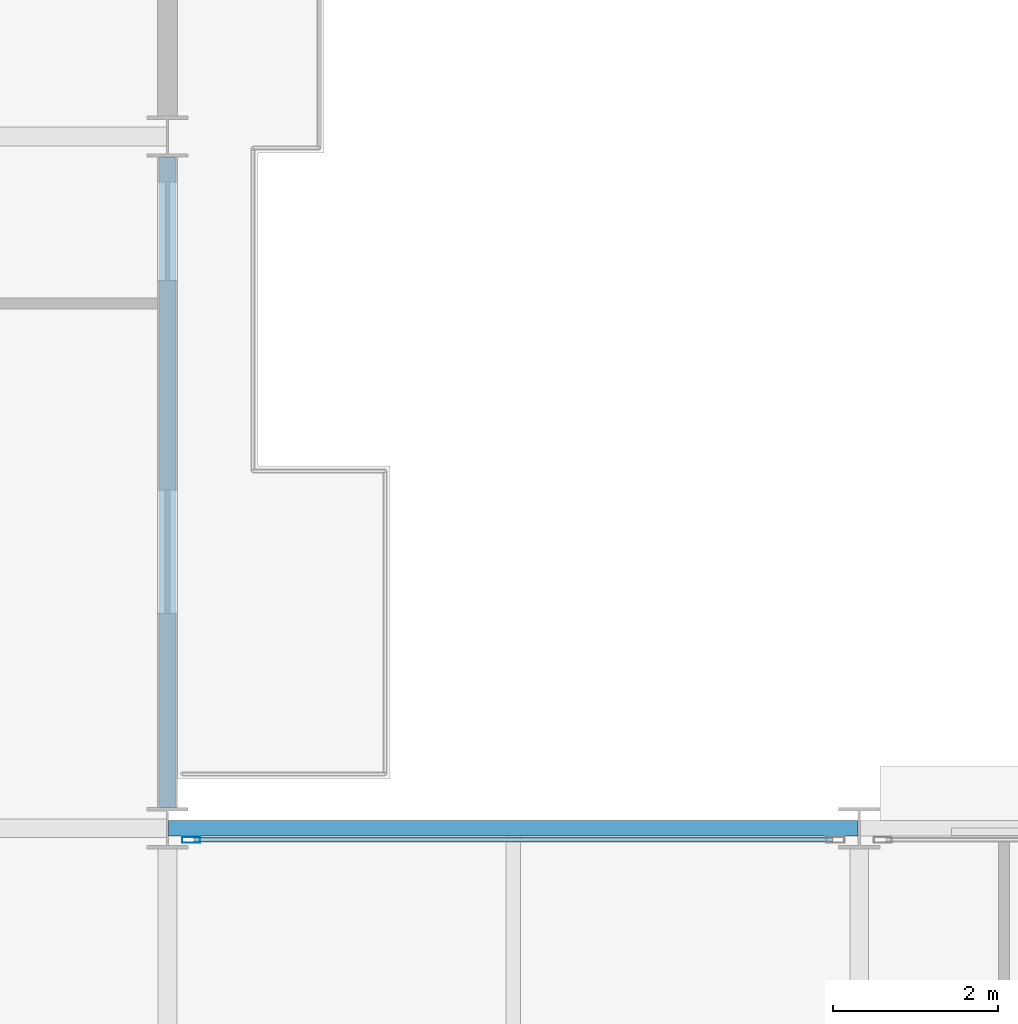
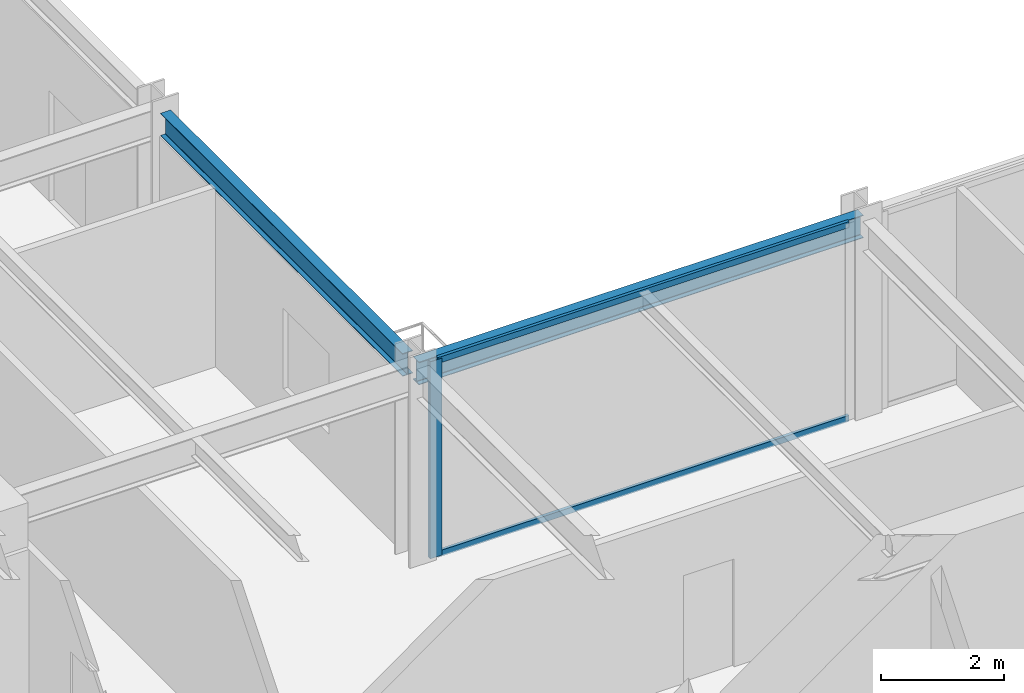
# One storey, part 8 of 25: 3 members, 2 beams, 1 element without a shape of its own.
"""IFC4 building model written with IfcOpenShell, lengths in metres."""

from ifc_helpers import new_model, si_unit, direction, frame, origin, origin_2d, place, context, subcontext, project, spatial, hollow_rectangle, i_section, extrude, material, layer, layer_set, material_profile, profile_set, type_object, element, aggregate, save


model = new_model("IFC4")

# Units and contexts
model_context = context("Model", 3, precision=1e-05, world=origin(), true_north=direction((0.0, 1.0)))
body_context = subcontext(model_context, "Body", "Model", "MODEL_VIEW")
ifc_project = project(units=[si_unit("LENGTHUNIT", "METRE"), si_unit("AREAUNIT", "SQUARE_METRE"), si_unit("VOLUMEUNIT", "CUBIC_METRE"), si_unit("PLANEANGLEUNIT", "RADIAN"), si_unit("MASSUNIT", "GRAM", prefix="KILO")], contexts=[model_context])

# Site, building, storey
site_placement = place(None, origin())
site = spatial("IfcSite", under=ifc_project, at=site_placement, CompositionType="ELEMENT")
building_placement = place(site_placement, origin())
building = spatial("IfcBuilding", under=site, at=building_placement, Name="Nerrivon Quay Data Exchange", CompositionType="ELEMENT")
storey_placement = place(building_placement, frame((0.0, 0.0, 29.0)))
storey = spatial("IfcBuildingStorey", under=building, at=storey_placement, Name="L06", CompositionType="ELEMENT", Elevation=29.0)

# Beams
ifc_material_1 = material(Name="Steel Grade 350", Category="steel")
ifc_material_profile_1 = material_profile(ifc_material_1, i_section(OverallWidth=0.18994140625, OverallDepth=0.4541015625, WebThickness=0.008544921875, FlangeThickness=0.0126953125, FilletRadius=0.011474609375, at=origin_2d()), Name="460UB67.1")
ifc_profile_set_1 = profile_set([ifc_material_profile_1], Name="Steel Grade 350")
beam_type = type_object("IfcBeamType", Name="BM-SP1-460UB67", PredefinedType="SPANDREL", material=ifc_profile_set_1)
beam_1_placement = place(storey_placement, frame((25.214111328125, 25.199951171875, 3.697998046875), z_axis=(1.0, 0.0, 0.0), x_axis=(0.0, 1.0, 0.0)))
element("IfcBeam", 1, at=beam_1_placement, inside=storey, type_object=beam_type, Name="L06 EW Girder Y=25.2 (25.2..33.6)", PredefinedType="SPANDREL", context=body_context, shape_type="SweptSolid", body=[
    extrude(i_section(OverallWidth=0.18994140625, OverallDepth=0.4541015625, WebThickness=0.008544921875, FlangeThickness=0.0126953125, FilletRadius=0.011474609375, at=origin_2d()), origin(), (0.0, 0.0, 1.0), 8.371826171875),
])
beam_2_placement = place(storey_placement, frame((25.199951171875, 25.449951171875, 3.697998046875), z_axis=(0.0, 1.0, 0.0), x_axis=(-1.0, 0.0, 0.0)))
element("IfcBeam", 2, at=beam_2_placement, inside=storey, type_object=beam_type, Name="L06 NS Girder X=25.2 (25.2..33.6)", PredefinedType="SPANDREL", context=body_context, shape_type="SweptSolid", body=[
    extrude(i_section(OverallWidth=0.18994140625, OverallDepth=0.4541015625, WebThickness=0.008544921875, FlangeThickness=0.0126953125, FilletRadius=0.011474609375, at=origin_2d()), origin(), (0.0, 0.0, 1.0), 7.900146484375),
])

# Curtain wall, members
ifc_material_2 = material(Name="Anodised aluminium 6063-T6", Category="aluminium")
ifc_layer = layer(ifc_material_2, 0.219970703125)
ifc_layer_set = layer_set([ifc_layer], Name="Anodised aluminium 6063-T6")
curtain_wall_type = type_object("IfcCurtainWallType", Name="CW-SYS-01", PredefinedType="NOTDEFINED", material=ifc_layer_set)
curtain_wall_placement = place(storey_placement, origin())
curtain_wall = element("IfcCurtainWall", 3, at=curtain_wall_placement, inside=storey, type_object=curtain_wall_type, Name="L06 Unitised Curtain Wall 28", PredefinedType="NOTDEFINED")
ifc_material_profile_2 = material_profile(ifc_material_2, hollow_rectangle(XDim=0.074951171875, YDim=0.219970703125, WallThickness=0.00390625, at=origin_2d()), Name="ALU-MULL-220x75")
ifc_profile_set_2 = profile_set([ifc_material_profile_2], Name="Anodised aluminium 6063-T6")
member_type_1 = type_object("IfcMemberType", Name="CWM-220x75", PredefinedType="MULLION", material=ifc_profile_set_2)
member_1_placement = place(storey_placement, frame((25.487548828125, 25.06005859375, 0.0), z_axis=(0.0, 0.0, 1.0), x_axis=(0.0, 1.0, 0.0)))
member_1 = element("IfcMember", 4, at=member_1_placement, type_object=member_type_1, Name="CW01 mullion 1", PredefinedType="MULLION", context=body_context, shape_type="SweptSolid", body=[
    extrude(hollow_rectangle(XDim=0.074951171875, YDim=0.219970703125, WallThickness=0.00390625, at=origin_2d()), origin(), (0.0, 0.0, 1.0), 3.925048828125),
])
ifc_material_profile_3 = material_profile(ifc_material_2, hollow_rectangle(XDim=0.06005859375, YDim=0.1201171875, WallThickness=0.003173828125, at=origin_2d()), Name="ALU-TRAN-120x60")
ifc_profile_set_3 = profile_set([ifc_material_profile_3], Name="Anodised aluminium 6063-T6")
member_type_2 = type_object("IfcMemberType", Name="CWT-120x60", PredefinedType="USERDEFINED", material=ifc_profile_set_3)
member_2_placement = place(storey_placement, frame((25.52490234375, 25.06005859375, 0.032470703125), z_axis=(1.0, 0.0, 0.0), x_axis=(0.0, 1.0, 0.0)))
member_2 = element("IfcMember", 5, at=member_2_placement, type_object=member_type_2, Name="CW01 transom 1.1", ObjectType="TRANSOM", PredefinedType="USERDEFINED", context=body_context, shape_type="SweptSolid", body=[
    extrude(hollow_rectangle(XDim=0.06005859375, YDim=0.1201171875, WallThickness=0.003173828125, at=origin_2d()), origin(), (0.0, 0.0, 1.0), 7.75),
])
member_3_placement = place(storey_placement, frame((25.52490234375, 25.06005859375, 3.892578125), z_axis=(1.0, 0.0, 0.0), x_axis=(0.0, 1.0, 0.0)))
member_3 = element("IfcMember", 6, at=member_3_placement, type_object=member_type_2, Name="CW01 transom 1.2", ObjectType="TRANSOM", PredefinedType="USERDEFINED", context=body_context, shape_type="SweptSolid", body=[
    extrude(hollow_rectangle(XDim=0.06005859375, YDim=0.1201171875, WallThickness=0.003173828125, at=origin_2d()), origin(), (0.0, 0.0, 1.0), 7.75),
])
aggregate(curtain_wall, [member_1, member_2, member_3])

save(model, "model.ifc")
